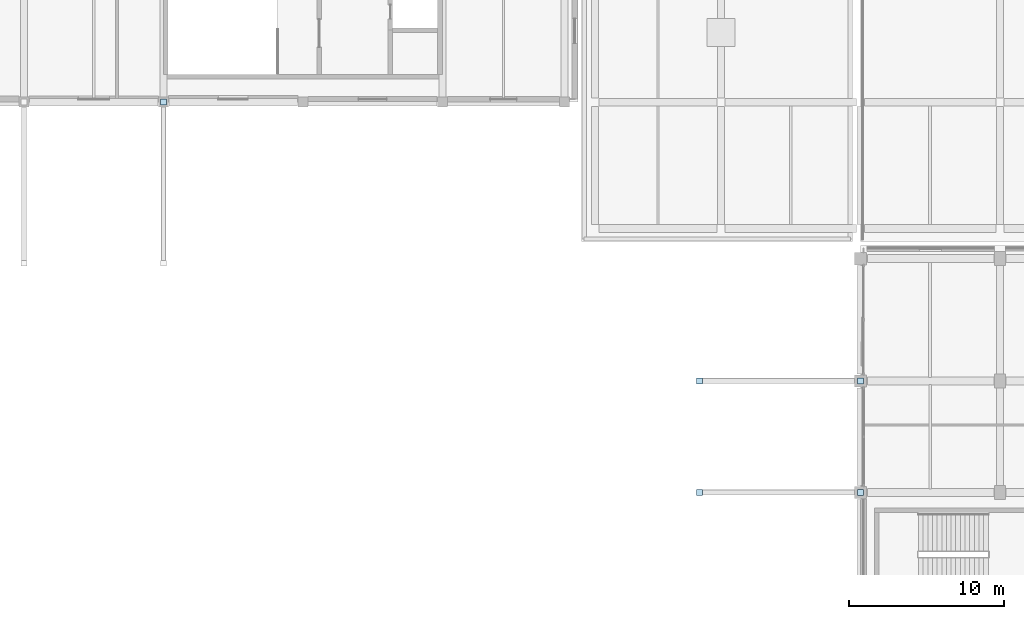
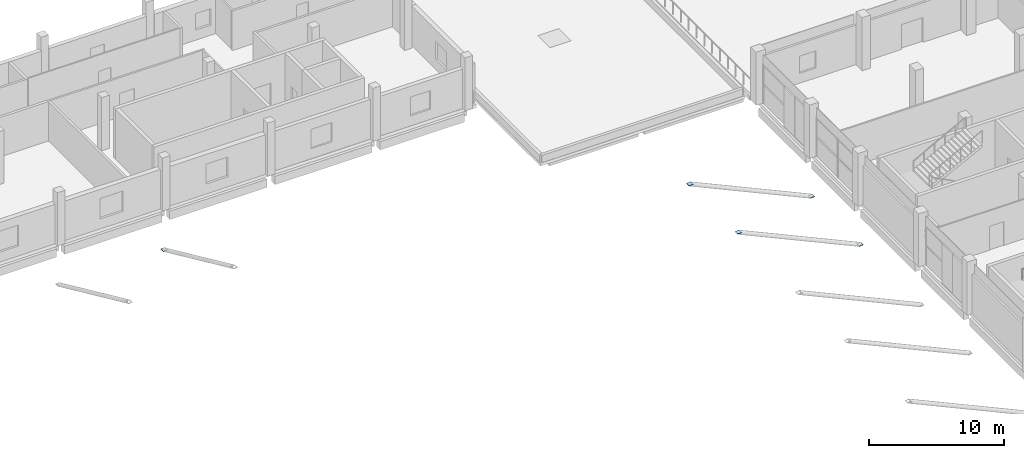
# One storey, part 45 of 82: 5 plates.
"""IFC4 building model written with IfcOpenShell, lengths in metres."""

from ifc_helpers import new_model, si_unit, direction, frame, origin, origin_2d, place, context, subcontext, project, spatial, rectangle, extrude, material, layer, layer_set, type_object, element, save


model = new_model("IFC4")

# Units and contexts
model_context = context("Model", 3, precision=1e-05, world=origin(), true_north=direction((0.0, 1.0)))
body_context = subcontext(model_context, "Body", "Model", "MODEL_VIEW")
ifc_project = project(units=[si_unit("LENGTHUNIT", "METRE"), si_unit("AREAUNIT", "SQUARE_METRE"), si_unit("VOLUMEUNIT", "CUBIC_METRE"), si_unit("PLANEANGLEUNIT", "RADIAN"), si_unit("MASSUNIT", "GRAM", prefix="KILO"), si_unit("THERMODYNAMICTEMPERATUREUNIT", "KELVIN"), si_unit("POWERUNIT", "WATT")], contexts=[model_context])

# Site, building, storey
site_placement = place(None, origin())
site = spatial("IfcSite", under=ifc_project, at=site_placement, CompositionType="ELEMENT")
building_placement = place(site_placement, origin())
building = spatial("IfcBuilding", under=site, at=building_placement, Name="Sindhuravela Promenade Stadium", CompositionType="ELEMENT")
storey_placement = place(building_placement, frame((0.0, 0.0, 14.39990234375)))
storey = spatial("IfcBuildingStorey", under=building, at=storey_placement, Name="L03", CompositionType="ELEMENT", Elevation=14.39990234375)

# Plates
ifc_material = material(Name="Steel E350 (IS 2062 E350BR)", Category="steel")
ifc_layer = layer(ifc_material, 0.033935546875)
ifc_layer_set = layer_set([ifc_layer], Name="Steel E350 (IS 2062 E350BR)")
plate_type = type_object("IfcPlateType", Name="ST-PL-CAP34", PredefinedType="USERDEFINED", material=ifc_layer_set)
for number, where, z_axis, x_axis, name in (
    (1, (180.0, 109.800048828125, -3.81689453125), (0.0, 0.0, 1.0), (1.0, 0.0, 0.0), "Hollow strut end cap plate CP02 35A"),
    (2, (169.60009765625, 109.800048828125, 0.93310546875), (0.0, 0.0, 1.0), (1.0, 0.0, 0.0), "Hollow strut end cap plate CP02 36B"),
    (3, (180.0, 117.0, -3.81689453125), (0.0, 0.0, 1.0), (1.0, 0.0, 0.0), "Hollow strut end cap plate CP02 39A"),
    (4, (169.60009765625, 117.0, 0.93310546875), (0.0, 0.0, 1.0), (1.0, 0.0, 0.0), "Hollow strut end cap plate CP02 40B"),
    (5, (135.0, 135.0, -3.81689453125), (0.0, 0.0, 1.0), (1.0, 0.0, 0.0), "Hollow strut end cap plate CP02 63A"),
):
    element("IfcPlate", number, at=place(storey_placement, frame(where, z_axis=z_axis, x_axis=x_axis)), inside=storey, type_object=plate_type, Name=name, ObjectType="GUSSET PLATE", PredefinedType="USERDEFINED", context=body_context, shape_type="SweptSolid", body=[
        extrude(rectangle(XDim=0.3798828125, YDim=0.3798828125, at=origin_2d()), origin(), (0.0, 0.0, 1.0), 0.033935546875),
    ])

save(model, "model.ifc")
